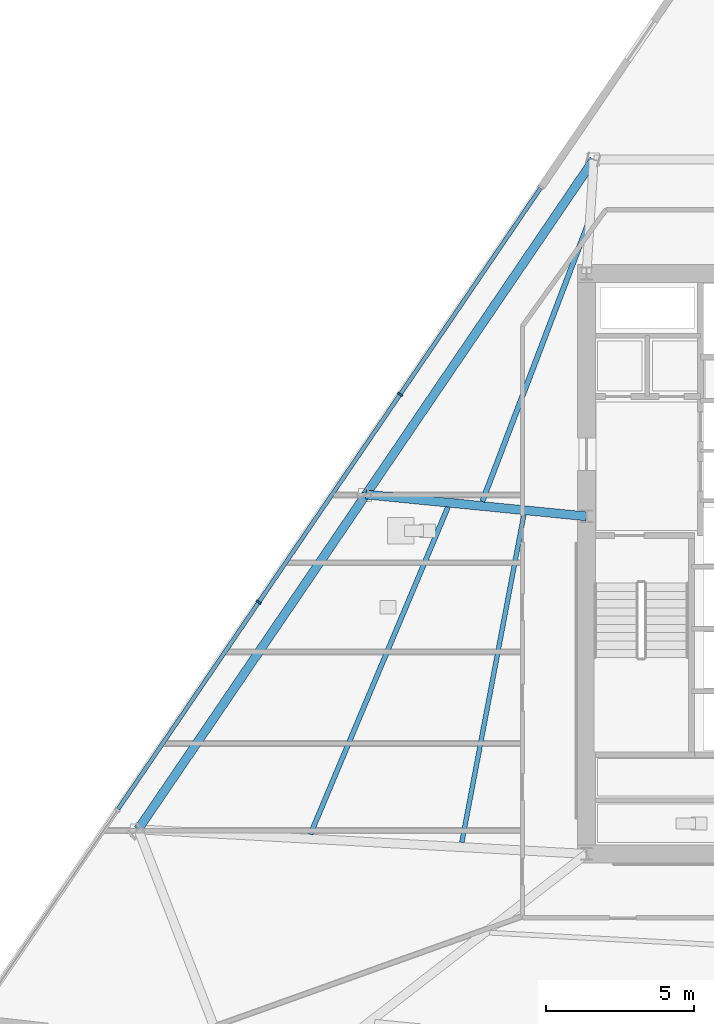
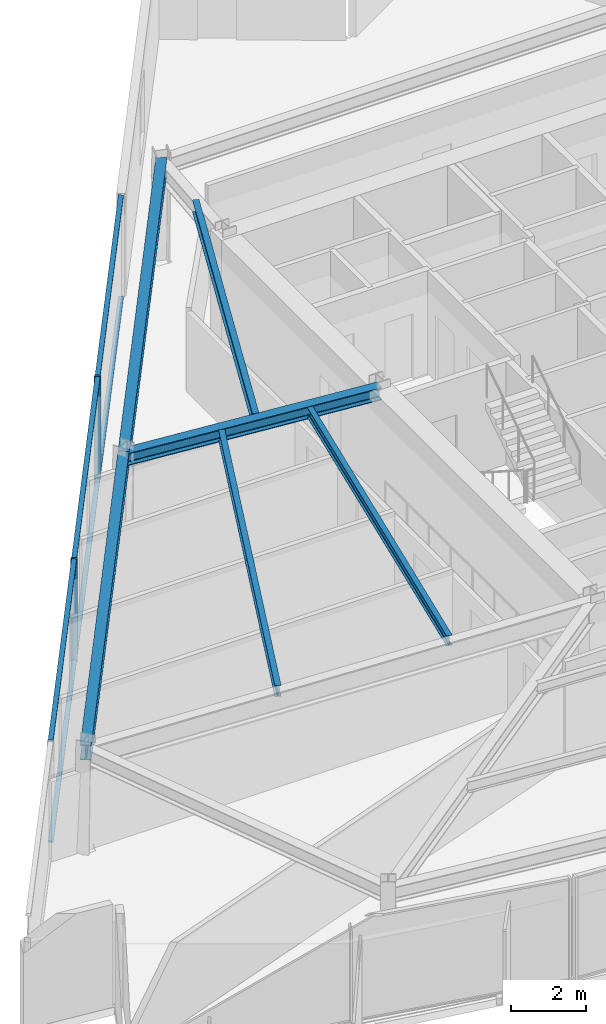
# One storey, part 3 of 15: 8 members, 6 beams, 1 element without a shape of its own.
"""IFC4 building model written with IfcOpenShell, lengths in metres."""

from ifc_helpers import new_model, si_unit, direction, frame, origin, origin_2d, place, context, subcontext, project, spatial, rectangle, i_section, extrude, material, material_profile, profile_set, type_object, element, aggregate, save


model = new_model("IFC4")

# Units and contexts
model_context = context("Model", 3, precision=1e-05, world=origin(), true_north=direction((0.0, 1.0)))
body_context = subcontext(model_context, "Body", "Model", "MODEL_VIEW")
ifc_project = project(units=[si_unit("LENGTHUNIT", "METRE"), si_unit("AREAUNIT", "SQUARE_METRE"), si_unit("VOLUMEUNIT", "CUBIC_METRE"), si_unit("PLANEANGLEUNIT", "RADIAN"), si_unit("MASSUNIT", "GRAM", prefix="KILO")], contexts=[model_context])

# Site, building, storey
site_placement = place(None, origin())
site = spatial("IfcSite", under=ifc_project, at=site_placement, CompositionType="ELEMENT")
building_placement = place(site_placement, origin())
building = spatial("IfcBuilding", under=site, at=building_placement, Name="Savorim Split Tower", CompositionType="ELEMENT")
storey_placement = place(building_placement, frame((0.0, 0.0, 86.10009765625)))
storey = spatial("IfcBuildingStorey", under=building, at=storey_placement, Name="L22", CompositionType="ELEMENT", Elevation=86.10009765625)

# Beams
ifc_material_1 = material(Name="Steel S355", Category="steel")
ifc_material_profile_1 = material_profile(ifc_material_1, i_section(OverallWidth=0.159912109375, OverallDepth=0.330078125, WebThickness=0.007568359375, FlangeThickness=0.011474609375, FilletRadius=0.01806640625, at=origin_2d()), Name="IPE 330")
ifc_profile_set_1 = profile_set([ifc_material_profile_1], Name="Steel S355")
beam_type_1 = type_object("IfcBeamType", Name="BM-JST-IPE330", PredefinedType="JOIST", material=ifc_profile_set_1)
beam_1_placement = place(storey_placement, frame((-9.814697265625, 2.04931640625, 3.184814453125), z_axis=(-0.186070500402, -0.982536395702, 0.0), x_axis=(0.982536395702, -0.186070500402, 0.0)))
element("IfcBeam", 1, at=beam_1_placement, inside=storey, type_object=beam_type_1, Name="L22 Secondary Floor Joist JS-11", PredefinedType="JOIST", context=body_context, shape_type="SweptSolid", body=[
    extrude(i_section(OverallWidth=0.159912109375, OverallDepth=0.330078125, WebThickness=0.007568359375, FlangeThickness=0.011474609375, FilletRadius=0.01806640625, at=origin_2d()), origin(), (0.0, 0.0, 1.0), 11.25634765625),
])
ifc_material_profile_2 = material_profile(ifc_material_1, i_section(OverallWidth=0.169921875, OverallDepth=0.360107421875, WebThickness=0.008056640625, FlangeThickness=0.0126953125, FilletRadius=0.01806640625, at=origin_2d()), Name="IPE 360")
ifc_profile_set_2 = profile_set([ifc_material_profile_2], Name="Steel S355")
beam_type_2 = type_object("IfcBeamType", Name="BM-JST-IPE360", PredefinedType="JOIST", material=ifc_profile_set_2)
beam_2_placement = place(storey_placement, frame((-12.378662109375, 2.309814453125, 3.169921875), z_axis=(-0.387608900188, -0.921823920548, 0.0), x_axis=(0.921823920548, -0.387608900188, 0.0)))
element("IfcBeam", 2, at=beam_2_placement, inside=storey, type_object=beam_type_2, Name="L22 Secondary Floor Joist JS-10", PredefinedType="JOIST", context=body_context, shape_type="SweptSolid", body=[
    extrude(i_section(OverallWidth=0.169921875, OverallDepth=0.360107421875, WebThickness=0.008056640625, FlangeThickness=0.0126953125, FilletRadius=0.01806640625, at=origin_2d()), origin(), (0.0, 0.0, 1.0), 11.985107421875),
])
ifc_material_profile_3 = material_profile(ifc_material_1, i_section(OverallWidth=0.179931640625, OverallDepth=0.39990234375, WebThickness=0.008544921875, FlangeThickness=0.013427734375, FilletRadius=0.02099609375, at=origin_2d()), Name="IPE 400")
ifc_profile_set_3 = profile_set([ifc_material_profile_3], Name="Steel S355")
beam_type_3 = type_object("IfcBeamType", Name="BM-JST-IPE400", PredefinedType="JOIST", material=ifc_profile_set_3)
beam_3_placement = place(storey_placement, frame((-7.638671875, 11.896484375, 3.14990234375), z_axis=(-0.356029668776, -0.934474651851, 0.0), x_axis=(0.934474651851, -0.356029668776, 0.0)))
element("IfcBeam", 3, at=beam_3_placement, inside=storey, type_object=beam_type_3, Name="L22 Secondary Floor Joist JS-09", PredefinedType="JOIST", context=body_context, shape_type="SweptSolid", body=[
    extrude(i_section(OverallWidth=0.179931640625, OverallDepth=0.39990234375, WebThickness=0.008544921875, FlangeThickness=0.013427734375, FilletRadius=0.02099609375, at=origin_2d()), origin(), (0.0, 0.0, 1.0), 10.051513671875),
])
ifc_material_profile_4 = material_profile(ifc_material_1, i_section(OverallWidth=0.300048828125, OverallDepth=0.39990234375, WebThickness=0.013427734375, FlangeThickness=0.02392578125, FilletRadius=0.027099609375, at=origin_2d()), Name="HEB 400")
ifc_profile_set_4 = profile_set([ifc_material_profile_4], Name="Steel S355")
beam_type_4 = type_object("IfcBeamType", Name="BM-PRI-HEB400", PredefinedType="BEAM", material=ifc_profile_set_4)
beam_4_placement = place(storey_placement, frame((-15.146240234375, 2.73779296875, 3.14990234375), z_axis=(0.995127230525, -0.098599163628, 0.0), x_axis=(0.098599163628, 0.995127230525, 0.0)))
element("IfcBeam", 4, at=beam_4_placement, inside=storey, type_object=beam_type_4, Name="L22 Primary Floor Girder RG-09", PredefinedType="BEAM", context=body_context, shape_type="SweptSolid", body=[
    extrude(i_section(OverallWidth=0.300048828125, OverallDepth=0.39990234375, WebThickness=0.013427734375, FlangeThickness=0.02392578125, FilletRadius=0.027099609375, at=origin_2d()), origin(), (0.0, 0.0, 1.0), 7.482666015625),
])
ifc_material_profile_5 = material_profile(ifc_material_1, i_section(OverallWidth=0.300048828125, OverallDepth=0.489990234375, WebThickness=0.011962890625, FlangeThickness=0.02294921875, FilletRadius=0.027099609375, at=origin_2d()), Name="HEA 500")
ifc_profile_set_5 = profile_set([ifc_material_profile_5], Name="Steel S355")
beam_type_5 = type_object("IfcBeamType", Name="BM-SPN-HEA500", PredefinedType="SPANDREL", material=ifc_profile_set_5)
beam_5_placement = place(storey_placement, frame((-7.45361328125, 14.0458984375, 3.10498046875), z_axis=(-0.562465767858, -0.826820573031, 0.0), x_axis=(0.826820573031, -0.562465767858, 0.0)))
element("IfcBeam", 5, at=beam_5_placement, inside=storey, type_object=beam_type_5, Name="L22 Perimeter Spandrel Beam 8", PredefinedType="SPANDREL", context=body_context, shape_type="SweptSolid", body=[
    extrude(i_section(OverallWidth=0.300048828125, OverallDepth=0.489990234375, WebThickness=0.011962890625, FlangeThickness=0.02294921875, FilletRadius=0.027099609375, at=origin_2d()), origin(), (0.0, 0.0, 1.0), 13.676513671875),
])
beam_6_placement = place(storey_placement, frame((-15.146240234375, 2.73779296875, 3.10498046875), z_axis=(-0.56246966951, -0.82681791882, 0.0), x_axis=(0.82681791882, -0.56246966951, 0.0)))
element("IfcBeam", 6, at=beam_6_placement, inside=storey, type_object=beam_type_5, Name="L22 Perimeter Spandrel Beam 9", PredefinedType="SPANDREL", context=body_context, shape_type="SweptSolid", body=[
    extrude(i_section(OverallWidth=0.300048828125, OverallDepth=0.489990234375, WebThickness=0.011962890625, FlangeThickness=0.02294921875, FilletRadius=0.027099609375, at=origin_2d()), origin(), (0.0, 0.0, 1.0), 13.677001953125),
])

# Curtain wall, members
ifc_material_2 = material(Name="Dark Ceramic-Fritted Insulated Glass", Category="glass")
curtain_wall_type = type_object("IfcCurtainWallType", Name="CW-TWR-FRIT-A", PredefinedType="NOTDEFINED", material=ifc_material_2)
curtain_wall_placement = place(storey_placement, origin())
curtain_wall = element("IfcCurtainWall", 7, at=curtain_wall_placement, inside=storey, type_object=curtain_wall_type, Name="L22 Curtain Wall CW-L22-WEST", PredefinedType="NOTDEFINED")
ifc_material_3 = material(Name="Charcoal Anodised Aluminium", Category="aluminium")
ifc_material_profile_6 = material_profile(ifc_material_3, rectangle(XDim=0.179931640625, YDim=0.06494140625, at=origin_2d()), Name="ALU-M 180x65")
ifc_profile_set_6 = profile_set([ifc_material_profile_6], Name="Charcoal Anodised Aluminium")
member_type_1 = type_object("IfcMemberType", Name="CWM-180x65", PredefinedType="MULLION", material=ifc_profile_set_6)
member_1_placement = place(storey_placement, frame((-13.9912109375, 6.1181640625, 0.0), z_axis=(0.0, 0.0, 1.0), x_axis=(0.826819383915, -0.562467515846, 0.0)))
member_1 = element("IfcMember", 8, at=member_1_placement, type_object=member_type_1, Name="CW-02 mullion 2", PredefinedType="MULLION", context=body_context, shape_type="SweptSolid", body=[
    extrude(rectangle(XDim=0.179931640625, YDim=0.06494140625, at=origin_2d()), origin(), (0.0, 0.0, 1.0), 3.349853515625),
])
member_2_placement = place(storey_placement, frame((-18.76513671875, -0.899658203125, 0.0), z_axis=(0.0, 0.0, 1.0), x_axis=(0.826819383915, -0.562467515846, 0.0)))
member_2 = element("IfcMember", 9, at=member_2_placement, type_object=member_type_1, Name="CW-02 mullion 3", PredefinedType="MULLION", context=body_context, shape_type="SweptSolid", body=[
    extrude(rectangle(XDim=0.179931640625, YDim=0.06494140625, at=origin_2d()), origin(), (0.0, 0.0, 1.0), 3.349853515625),
])
ifc_material_profile_7 = material_profile(ifc_material_3, rectangle(XDim=0.139892578125, YDim=0.054931640625, at=origin_2d()), Name="ALU-T 140x55")
ifc_profile_set_7 = profile_set([ifc_material_profile_7], Name="Charcoal Anodised Aluminium")
member_type_2 = type_object("IfcMemberType", Name="CWT-140x55", PredefinedType="USERDEFINED", material=ifc_profile_set_7)
member_3_placement = place(storey_placement, frame((-9.253662109375, 13.082275390625, 0.02734375), z_axis=(-0.562465211689, -0.826820951379, 0.0), x_axis=(0.826820951379, -0.562465211689, 0.0)))
member_3 = element("IfcMember", 10, at=member_3_placement, type_object=member_type_2, Name="CW-02 transom 1.1", ObjectType="TRANSOM", PredefinedType="USERDEFINED", context=body_context, shape_type="SweptSolid", body=[
    extrude(rectangle(XDim=0.139892578125, YDim=0.054931640625, at=origin_2d()), origin(), (0.0, 0.0, 1.0), 8.390380859375),
])
member_4_placement = place(storey_placement, frame((-9.253662109375, 13.082275390625, 3.322509765625), z_axis=(-0.562465211689, -0.826820951379, 0.0), x_axis=(0.826820951379, -0.562465211689, 0.0)))
member_4 = element("IfcMember", 11, at=member_4_placement, type_object=member_type_2, Name="CW-02 transom 1.2", ObjectType="TRANSOM", PredefinedType="USERDEFINED", context=body_context, shape_type="SweptSolid", body=[
    extrude(rectangle(XDim=0.139892578125, YDim=0.054931640625, at=origin_2d()), origin(), (0.0, 0.0, 1.0), 8.390380859375),
])
member_5_placement = place(storey_placement, frame((-14.009521484375, 6.09130859375, 0.02734375), z_axis=(-0.562468576469, -0.826818662395, 0.0), x_axis=(0.826818662395, -0.562468576469, 0.0)))
member_5 = element("IfcMember", 12, at=member_5_placement, type_object=member_type_2, Name="CW-02 transom 2.1", ObjectType="TRANSOM", PredefinedType="USERDEFINED", context=body_context, shape_type="SweptSolid", body=[
    extrude(rectangle(XDim=0.139892578125, YDim=0.054931640625, at=origin_2d()), origin(), (0.0, 0.0, 1.0), 8.4228515625),
])
member_6_placement = place(storey_placement, frame((-14.009521484375, 6.09130859375, 3.322509765625), z_axis=(-0.562468576469, -0.826818662395, 0.0), x_axis=(0.826818662395, -0.562468576469, 0.0)))
member_6 = element("IfcMember", 13, at=member_6_placement, type_object=member_type_2, Name="CW-02 transom 2.2", ObjectType="TRANSOM", PredefinedType="USERDEFINED", context=body_context, shape_type="SweptSolid", body=[
    extrude(rectangle(XDim=0.139892578125, YDim=0.054931640625, at=origin_2d()), origin(), (0.0, 0.0, 1.0), 8.4228515625),
])
member_7_placement = place(storey_placement, frame((-18.783447265625, -0.926513671875, 0.02734375), z_axis=(-0.562482056819, -0.826809491816, 0.0), x_axis=(0.826809491816, -0.562482056819, 0.0)))
member_7 = element("IfcMember", 14, at=member_7_placement, type_object=member_type_2, Name="CW-02 transom 3.1", ObjectType="TRANSOM", PredefinedType="USERDEFINED", context=body_context, shape_type="SweptSolid", body=[
    extrude(rectangle(XDim=0.139892578125, YDim=0.054931640625, at=origin_2d()), origin(), (0.0, 0.0, 1.0), 8.422607421875),
])
member_8_placement = place(storey_placement, frame((-18.783447265625, -0.926513671875, 3.322509765625), z_axis=(-0.562482056819, -0.826809491816, 0.0), x_axis=(0.826809491816, -0.562482056819, 0.0)))
member_8 = element("IfcMember", 15, at=member_8_placement, type_object=member_type_2, Name="CW-02 transom 3.2", ObjectType="TRANSOM", PredefinedType="USERDEFINED", context=body_context, shape_type="SweptSolid", body=[
    extrude(rectangle(XDim=0.139892578125, YDim=0.054931640625, at=origin_2d()), origin(), (0.0, 0.0, 1.0), 8.422607421875),
])
aggregate(curtain_wall, [member_1, member_2, member_3, member_4, member_5, member_6, member_7, member_8])

save(model, "model.ifc")
